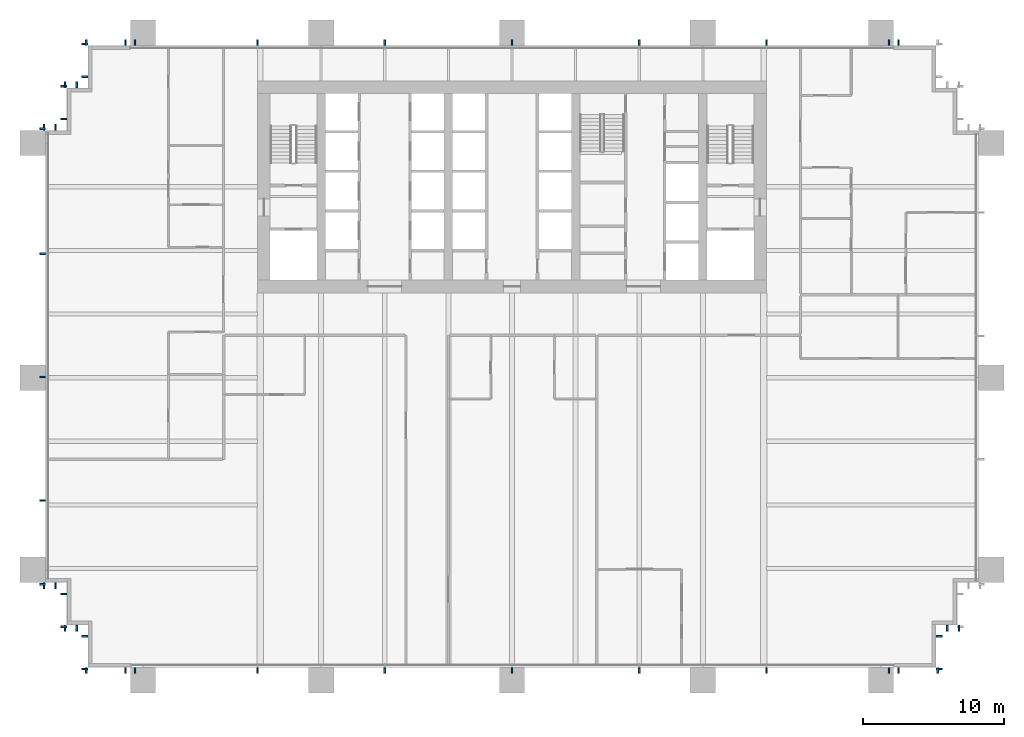
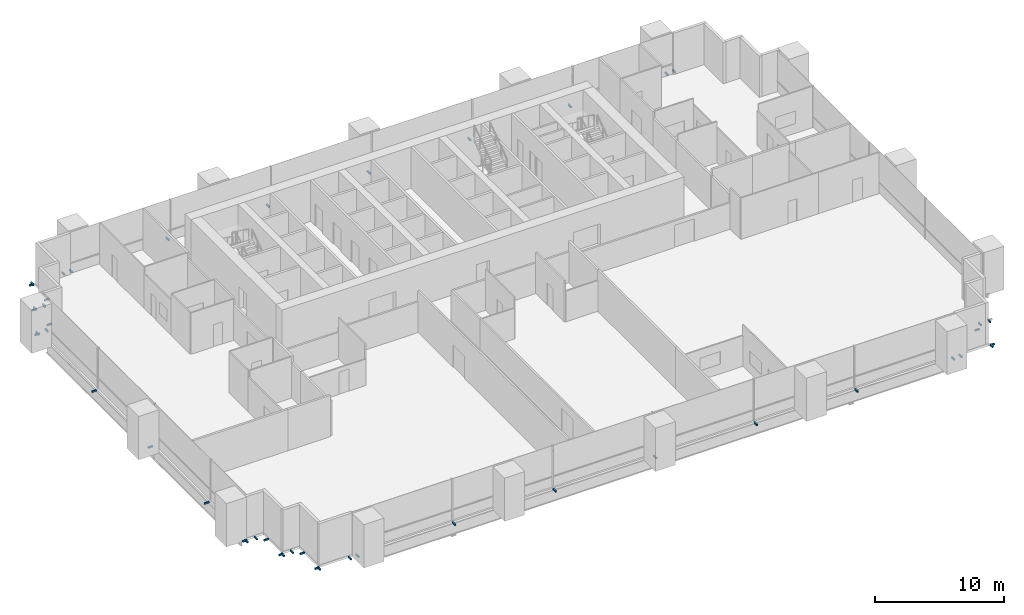
# One storey, part 15 of 17: 46 discrete accessories.
"""IFC4 building model written with IfcOpenShell, lengths in metres."""

from ifc_helpers import new_model, si_unit, direction, frame, origin, origin_2d, place, context, subcontext, project, spatial, rectangle, extrude, element, save


model = new_model("IFC4")

# Units and contexts
model_context = context("Model", 3, precision=1e-05, world=origin(), true_north=direction((0.0, 1.0)))
body_context = subcontext(model_context, "Body", "Model", "MODEL_VIEW")
ifc_project = project(units=[si_unit("LENGTHUNIT", "METRE"), si_unit("AREAUNIT", "SQUARE_METRE"), si_unit("VOLUMEUNIT", "CUBIC_METRE"), si_unit("PLANEANGLEUNIT", "RADIAN"), si_unit("MASSUNIT", "GRAM", prefix="KILO")], contexts=[model_context])

# Site, building, storey
site_placement = place(None, origin())
site = spatial("IfcSite", under=ifc_project, at=site_placement, CompositionType="ELEMENT")
building_placement = place(site_placement, origin())
building = spatial("IfcBuilding", under=site, at=building_placement, Name="Rattan Terrace Tower", CompositionType="ELEMENT")
storey_placement = place(building_placement, frame((0.0, 0.0, 48.800048828125)))
storey = spatial("IfcBuildingStorey", under=building, at=storey_placement, Name="L10", CompositionType="ELEMENT", Elevation=48.800048828125)

# Discrete accessories
for number, where, z_axis, x_axis, name in (
    (1, (27.340087890625, -34.2099609375, -0.169921875), (0.0, 0.0, 1.0), (1.0, 0.0, 0.0), "Panel bracket L10-1"),
    (2, (30.110107421875, -34.2099609375, -0.169921875), (0.0, 0.0, 1.0), (1.0, 0.0, 0.0), "Panel bracket L10-2"),
    (3, (30.2099609375, -34.110107421875, -0.169921875), (0.0, 0.0, 1.0), (0.0, 1.0, 0.0), "Panel bracket L10-3"),
    (4, (30.2099609375, -31.7900390625, -0.169921875), (0.0, 0.0, 1.0), (0.0, 1.0, 0.0), "Panel bracket L10-4"),
    (5, (30.7900390625, -31.2099609375, -0.169921875), (0.0, 0.0, 1.0), (1.0, 0.0, 0.0), "Panel bracket L10-5"),
    (6, (31.610107421875, -31.2099609375, -0.169921875), (0.0, 0.0, 1.0), (1.0, 0.0, 0.0), "Panel bracket L10-6"),
    (7, (27.340087890625, 10.2099609375, -0.169921875), (0.0, 0.0, 1.0), (-1.0, 0.0, 0.0), "Panel bracket L10-25"),
    (8, (26.659912109375, 10.2099609375, -0.169921875), (0.0, 0.0, 1.0), (-1.0, 0.0, 0.0), "Panel bracket L10-26"),
    (9, (18.0, 10.2099609375, -0.169921875), (0.0, 0.0, 1.0), (-1.0, 0.0, 0.0), "Panel bracket L10-27"),
    (10, (9.0, 10.2099609375, -0.169921875), (0.0, 0.0, 1.0), (-1.0, 0.0, 0.0), "Panel bracket L10-28"),
    (11, (0.0, 10.2099609375, -0.169921875), (0.0, 0.0, 1.0), (-1.0, 0.0, 0.0), "Panel bracket L10-29"),
    (12, (-9.0, 10.2099609375, -0.169921875), (0.0, 0.0, 1.0), (-1.0, 0.0, 0.0), "Panel bracket L10-30"),
    (13, (-18.0, 10.2099609375, -0.169921875), (0.0, 0.0, 1.0), (-1.0, 0.0, 0.0), "Panel bracket L10-31"),
    (14, (-26.659912109375, 10.2099609375, -0.169921875), (0.0, 0.0, 1.0), (-1.0, 0.0, 0.0), "Panel bracket L10-32"),
    (15, (-27.340087890625, 10.2099609375, -0.169921875), (0.0, 0.0, 1.0), (-1.0, 0.0, 0.0), "Panel bracket L10-33"),
    (16, (-30.110107421875, 10.2099609375, -0.169921875), (0.0, 0.0, 1.0), (-1.0, 0.0, 0.0), "Panel bracket L10-34"),
    (17, (-30.2099609375, 10.110107421875, -0.169921875), (0.0, 0.0, 1.0), (0.0, -1.0, 0.0), "Panel bracket L10-35"),
    (18, (-30.2099609375, 7.7900390625, -0.169921875), (0.0, 0.0, 1.0), (0.0, -1.0, 0.0), "Panel bracket L10-36"),
    (19, (-30.7900390625, 7.2099609375, -0.169921875), (0.0, 0.0, 1.0), (-1.0, 0.0, 0.0), "Panel bracket L10-37"),
    (20, (-31.610107421875, 7.2099609375, -0.169921875), (0.0, 0.0, 1.0), (-1.0, 0.0, 0.0), "Panel bracket L10-38"),
    (21, (-31.7099609375, 7.110107421875, -0.169921875), (0.0, 0.0, 1.0), (0.0, -1.0, 0.0), "Panel bracket L10-39"),
    (22, (-31.7099609375, 4.7900390625, -0.169921875), (0.0, 0.0, 1.0), (0.0, -1.0, 0.0), "Panel bracket L10-40"),
    (23, (-32.2900390625, 4.2099609375, -0.169921875), (0.0, 0.0, 1.0), (-1.0, 0.0, 0.0), "Panel bracket L10-41"),
    (24, (-33.110107421875, 4.2099609375, -0.169921875), (0.0, 0.0, 1.0), (-1.0, 0.0, 0.0), "Panel bracket L10-42"),
    (25, (-33.2099609375, 4.110107421875, -0.169921875), (0.0, 0.0, 1.0), (0.0, -1.0, 0.0), "Panel bracket L10-43"),
    (26, (-33.2099609375, -4.72705078125, -0.169921875), (0.0, 0.0, 1.0), (0.0, -1.0, 0.0), "Panel bracket L10-44"),
    (27, (-33.2099609375, -13.4541015625, -0.169921875), (0.0, 0.0, 1.0), (0.0, -1.0, 0.0), "Panel bracket L10-45"),
    (28, (-33.2099609375, -22.180908203125, -0.169921875), (0.0, 0.0, 1.0), (0.0, -1.0, 0.0), "Panel bracket L10-46"),
    (29, (-33.2099609375, -28.110107421875, -0.169921875), (0.0, 0.0, 1.0), (0.0, -1.0, 0.0), "Panel bracket L10-47"),
    (30, (-33.110107421875, -28.2099609375, -0.169921875), (0.0, 0.0, 1.0), (1.0, 0.0, 0.0), "Panel bracket L10-48"),
    (31, (-32.2900390625, -28.2099609375, -0.169921875), (0.0, 0.0, 1.0), (1.0, 0.0, 0.0), "Panel bracket L10-49"),
    (32, (-31.7099609375, -28.7900390625, -0.169921875), (0.0, 0.0, 1.0), (0.0, -1.0, 0.0), "Panel bracket L10-50"),
    (33, (-31.7099609375, -31.110107421875, -0.169921875), (0.0, 0.0, 1.0), (0.0, -1.0, 0.0), "Panel bracket L10-51"),
    (34, (-31.610107421875, -31.2099609375, -0.169921875), (0.0, 0.0, 1.0), (1.0, 0.0, 0.0), "Panel bracket L10-52"),
    (35, (-30.7900390625, -31.2099609375, -0.169921875), (0.0, 0.0, 1.0), (1.0, 0.0, 0.0), "Panel bracket L10-53"),
    (36, (-30.2099609375, -31.7900390625, -0.169921875), (0.0, 0.0, 1.0), (0.0, -1.0, 0.0), "Panel bracket L10-54"),
    (37, (-30.2099609375, -34.110107421875, -0.169921875), (0.0, 0.0, 1.0), (0.0, -1.0, 0.0), "Panel bracket L10-55"),
    (38, (-30.110107421875, -34.2099609375, -0.169921875), (0.0, 0.0, 1.0), (1.0, 0.0, 0.0), "Panel bracket L10-56"),
    (39, (-27.340087890625, -34.2099609375, -0.169921875), (0.0, 0.0, 1.0), (1.0, 0.0, 0.0), "Panel bracket L10-57"),
    (40, (-26.659912109375, -34.2099609375, -0.169921875), (0.0, 0.0, 1.0), (1.0, 0.0, 0.0), "Panel bracket L10-58"),
    (41, (-18.0, -34.2099609375, -0.169921875), (0.0, 0.0, 1.0), (1.0, 0.0, 0.0), "Panel bracket L10-59"),
    (42, (-9.0, -34.2099609375, -0.169921875), (0.0, 0.0, 1.0), (1.0, 0.0, 0.0), "Panel bracket L10-60"),
    (43, (0.0, -34.2099609375, -0.169921875), (0.0, 0.0, 1.0), (1.0, 0.0, 0.0), "Panel bracket L10-61"),
    (44, (9.0, -34.2099609375, -0.169921875), (0.0, 0.0, 1.0), (1.0, 0.0, 0.0), "Panel bracket L10-62"),
    (45, (18.0, -34.2099609375, -0.169921875), (0.0, 0.0, 1.0), (1.0, 0.0, 0.0), "Panel bracket L10-63"),
    (46, (26.659912109375, -34.2099609375, -0.169921875), (0.0, 0.0, 1.0), (1.0, 0.0, 0.0), "Panel bracket L10-64"),
):
    element("IfcDiscreteAccessory", number, at=place(storey_placement, frame(where, z_axis=z_axis, x_axis=x_axis)), inside=storey, Name=name, PredefinedType="BRACKET", context=body_context, shape_type="SweptSolid", body=[
        extrude(rectangle(XDim=0.1201171875, YDim=0.419921875, at=origin_2d()), origin(), (0.0, 0.0, 1.0), 0.139892578125),
    ])

save(model, "model.ifc")
